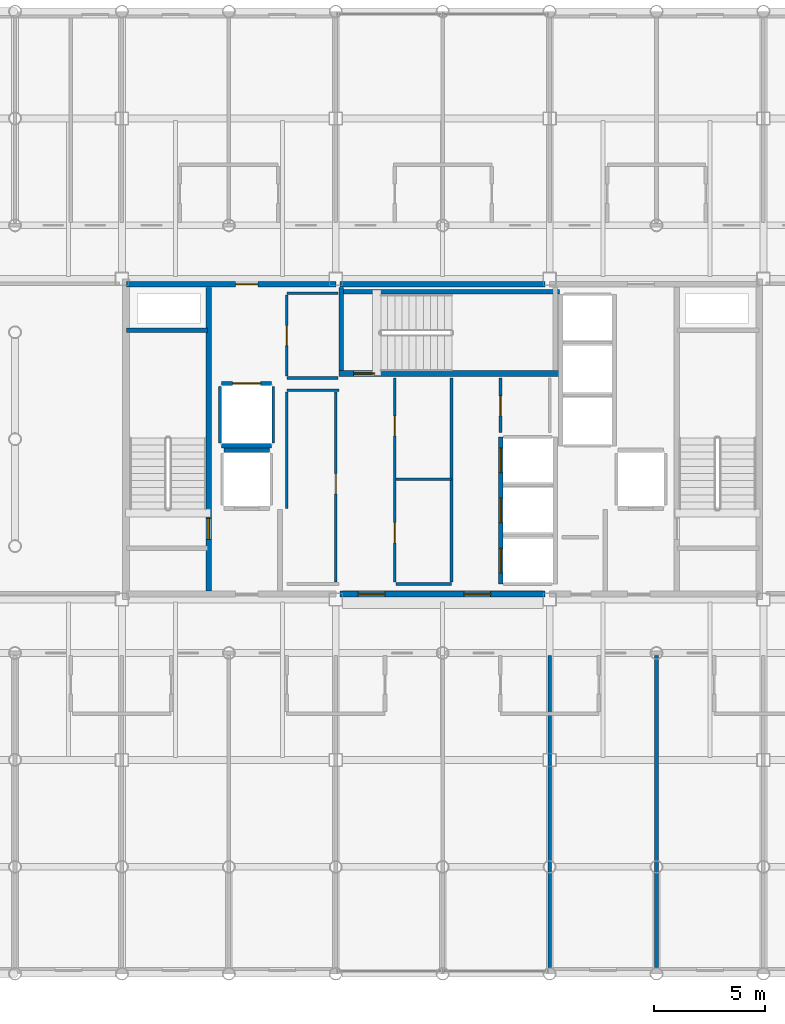
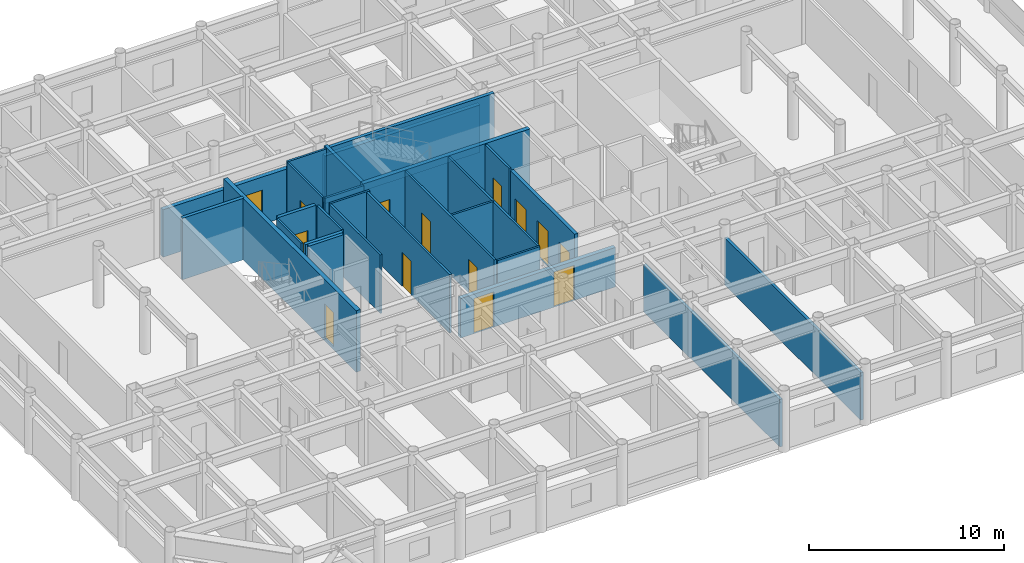
# One storey, part 18 of 22: 27 walls, 14 doors, 14 openings.
"""IFC4 building model written with IfcOpenShell, lengths in metres."""

from ifc_helpers import new_model, si_unit, direction, frame, frame_2d, origin, place, context, subcontext, project, spatial, rectangle, extrude, material, layer, layer_set, type_object, element, fill, save


model = new_model("IFC4")

# Units and contexts
model_context = context("Model", 3, precision=1e-05, world=origin(), true_north=direction((0.0, 1.0)))
body_context = subcontext(model_context, "Body", "Model", "MODEL_VIEW")
ifc_project = project(units=[si_unit("LENGTHUNIT", "METRE"), si_unit("AREAUNIT", "SQUARE_METRE"), si_unit("VOLUMEUNIT", "CUBIC_METRE"), si_unit("PLANEANGLEUNIT", "RADIAN"), si_unit("MASSUNIT", "GRAM", prefix="KILO")], contexts=[model_context])

# Site, building, storey
site_placement = place(None, origin())
site = spatial("IfcSite", under=ifc_project, at=site_placement, CompositionType="ELEMENT")
building_placement = place(site_placement, origin())
building = spatial("IfcBuilding", under=site, at=building_placement, Name="Kallvorn Hotel Tower", CompositionType="ELEMENT")
storey_placement = place(building_placement, frame((0.0, 0.0, 199.199951171875)))
storey = spatial("IfcBuildingStorey", under=building, at=storey_placement, Name="L49", CompositionType="ELEMENT", Elevation=199.199951171875)

# Walls
ifc_material_1 = material(Name="Fire-rated double-layer acoustic gypsum drywall EI 60")
ifc_layer_1 = layer(ifc_material_1, 0.159912109375)
ifc_layer_set_1 = layer_set([ifc_layer_1], Name="WL_DEMISE_160")
wall_type_1 = type_object("IfcWallType", Name="WL_DEMISE_160", PredefinedType="PARTITIONING", material=ifc_layer_set_1)
for number, where, z_axis, x_axis, name in (
    (1, (4.800048828125, -23.7099609375, 0.0), (0.0, 0.0, 1.0), (0.0, 1.0, 0.0), "L49 Suite 4905 Superior Twin Room Partition"),
    (2, (9.60009765625, -23.7099609375, 0.0), (0.0, 0.0, 1.0), (0.0, 1.0, 0.0), "L49 Suite 4906 Superior Twin Room Partition"),
):
    element("IfcWall", number, at=place(storey_placement, frame(where, z_axis=z_axis, x_axis=x_axis)), inside=storey, type_object=wall_type_1, Name=name, PredefinedType="PARTITIONING", context=body_context, shape_type="SweptSolid", body=[
        extrude(rectangle(XDim=13.989990234375, YDim=0.159912109375, at=frame_2d((6.9951171875, 0.0))), origin(), (0.0, 0.0, 1.0), 2.969970703125),
    ])
ifc_material_2 = material(Name="Concrete C40/50", Category="concrete")
ifc_layer_2 = layer(ifc_material_2, 0.199951171875)
ifc_layer_set_2 = layer_set([ifc_layer_2], Name="WL_HOIST_200")
wall_type_2 = type_object("IfcWallType", Name="WL_HOIST_200", PredefinedType="SOLIDWALL", material=ifc_layer_set_2)
wall_1_placement = place(storey_placement, frame((-14.199951171875, 4.89990234375, -0.179931640625), z_axis=(0.0, 0.0, 1.0), x_axis=(1.0, 0.0, 0.0)))
element("IfcWall", 3, at=wall_1_placement, inside=storey, type_object=wall_type_2, Name="L49 Stair ST1 North Wall", PredefinedType="SOLIDWALL", context=body_context, shape_type="SweptSolid", body=[
    extrude(rectangle(XDim=3.64990234375, YDim=0.199951171875, at=frame_2d((1.824951171875, 0.0))), origin(), (0.0, 0.0, 1.0), 3.85009765625),
])
wall_2_placement = place(storey_placement, frame((-4.64990234375, 6.610107421875, -0.179931640625), z_axis=(0.0, 0.0, 1.0), x_axis=(1.0, 0.0, 0.0)))
element("IfcWall", 4, at=wall_2_placement, inside=storey, type_object=wall_type_2, Name="L49 Stair ST3 Shaft North Wall", PredefinedType="SOLIDWALL", context=body_context, shape_type="SweptSolid", body=[
    extrude(rectangle(XDim=9.89990234375, YDim=0.199951171875, at=frame_2d((4.949951171875, 0.0))), origin(), (0.0, 0.0, 1.0), 3.85009765625),
])
wall_3_placement = place(storey_placement, frame((-4.550048828125, 3.080078125, -0.179931640625), z_axis=(0.0, 0.0, 1.0), x_axis=(0.0, 1.0, 0.0)))
element("IfcWall", 5, at=wall_3_placement, inside=storey, type_object=wall_type_2, Name="L49 Stair ST3 West Wall", PredefinedType="SOLIDWALL", context=body_context, shape_type="SweptSolid", body=[
    extrude(rectangle(XDim=3.739990234375, YDim=0.199951171875, at=frame_2d((1.8701171875, 0.0))), origin(), (0.0, 0.0, 1.0), 3.85009765625),
])

# Wall, openings, doors
wall_4_placement = place(storey_placement, frame((2.60009765625, -6.5, 0.0), z_axis=(0.0, 0.0, 1.0), x_axis=(0.0, 1.0, 0.0)))
wall_4 = element("IfcWall", 6, at=wall_4_placement, inside=storey, type_object=wall_type_2, Name="L49 Lift Bank B3A Landing Wall", PredefinedType="SOLIDWALL", context=body_context, shape_type="SweptSolid", body=[
    extrude(rectangle(XDim=6.60009765625, YDim=0.199951171875, at=frame_2d((3.300048828125, 0.0))), origin(), (0.0, 0.0, 1.0), 3.670166015625),
])
opening_1_placement = place(wall_4_placement, frame((0.5, 0.0, 0.0)))
opening_1 = element("IfcOpeningElement", 7, at=opening_1_placement, cuts=wall_4, Name="Opening LD-PL-09", PredefinedType="OPENING", context=body_context, shape_type="SweptSolid", body=[
    extrude(rectangle(XDim=1.10009765625, YDim=2.199951171875, at=frame_2d((0.550048828125, 1.10009765625))), frame((0.0, 0.114990234375, 0.0), z_axis=(0.0, -1.0, 0.0), x_axis=(1.0, 0.0, 0.0)), (0.0, 0.0, 1.0), 0.22998046875),
])
opening_2_placement = place(wall_4_placement, frame((2.75, 0.0, 0.0)))
opening_2 = element("IfcOpeningElement", 8, at=opening_2_placement, cuts=wall_4, Name="Opening LD-PL-10", PredefinedType="OPENING", context=body_context, shape_type="SweptSolid", body=[
    extrude(rectangle(XDim=1.10009765625, YDim=2.199951171875, at=frame_2d((0.550048828125, 1.10009765625))), frame((0.0, 0.114990234375, 0.0), z_axis=(0.0, -1.0, 0.0), x_axis=(1.0, 0.0, 0.0)), (0.0, 0.0, 1.0), 0.22998046875),
])
opening_3_placement = place(wall_4_placement, frame((5.0, 0.0, 0.0)))
opening_3 = element("IfcOpeningElement", 9, at=opening_3_placement, cuts=wall_4, Name="Opening LD-PL-11", PredefinedType="OPENING", context=body_context, shape_type="SweptSolid", body=[
    extrude(rectangle(XDim=1.10009765625, YDim=2.199951171875, at=frame_2d((0.550048828125, 1.10009765625))), frame((0.0, 0.114990234375, 0.0), z_axis=(0.0, -1.0, 0.0), x_axis=(1.0, 0.0, 0.0)), (0.0, 0.0, 1.0), 0.22998046875),
])
ifc_material_3 = material(Name="Brushed stainless-steel automatic sliding lift landing door", Category="steel")
door_type_1 = type_object("IfcDoorType", Name="LD_PASS_1100x2200", OperationType="SLIDING_TO_LEFT", PredefinedType="DOOR", material=ifc_material_3)
door_1_placement = place(opening_1_placement, origin())
door_1 = element("IfcDoor", 10, at=door_1_placement, inside=storey, type_object=door_type_1, Name="L49 Lift Landing Sliding Door LD-PL-09", OperationType="SLIDING_TO_LEFT", OverallHeight=2.199951171875, OverallWidth=1.10009765625, PredefinedType="DOOR", context=body_context, shape_type="SweptSolid", body=[
    extrude(rectangle(XDim=1.10009765625, YDim=2.199951171875, at=frame_2d((0.550048828125, 1.10009765625))), frame((0.0, 0.02490234375, 0.0), z_axis=(0.0, -1.0, 0.0), x_axis=(1.0, 0.0, 0.0)), (0.0, 0.0, 1.0), 0.050048828125),
])
fill(opening_1, door_1)
door_2_placement = place(opening_2_placement, origin())
door_2 = element("IfcDoor", 11, at=door_2_placement, inside=storey, type_object=door_type_1, Name="L49 Lift Landing Sliding Door LD-PL-10", OperationType="SLIDING_TO_LEFT", OverallHeight=2.199951171875, OverallWidth=1.10009765625, PredefinedType="DOOR", context=body_context, shape_type="SweptSolid", body=[
    extrude(rectangle(XDim=1.10009765625, YDim=2.199951171875, at=frame_2d((0.550048828125, 1.10009765625))), frame((0.0, 0.02490234375, 0.0), z_axis=(0.0, -1.0, 0.0), x_axis=(1.0, 0.0, 0.0)), (0.0, 0.0, 1.0), 0.050048828125),
])
fill(opening_2, door_2)
door_3_placement = place(opening_3_placement, origin())
door_3 = element("IfcDoor", 12, at=door_3_placement, inside=storey, type_object=door_type_1, Name="L49 Lift Landing Sliding Door LD-PL-11", OperationType="SLIDING_TO_LEFT", OverallHeight=2.199951171875, OverallWidth=1.10009765625, PredefinedType="DOOR", context=body_context, shape_type="SweptSolid", body=[
    extrude(rectangle(XDim=1.10009765625, YDim=2.199951171875, at=frame_2d((0.550048828125, 1.10009765625))), frame((0.0, 0.02490234375, 0.0), z_axis=(0.0, -1.0, 0.0), x_axis=(1.0, 0.0, 0.0)), (0.0, 0.0, 1.0), 0.050048828125),
])
fill(opening_3, door_3)

# Wall
wall_5_placement = place(storey_placement, frame((-9.820068359375, -0.5, 0.0), z_axis=(0.0, 0.0, 1.0), x_axis=(1.0, 0.0, 0.0)))
element("IfcWall", 13, at=wall_5_placement, inside=storey, type_object=wall_type_2, Name="L49 FL-1 Rear Shaft Wall", PredefinedType="SOLIDWALL", context=body_context, shape_type="SweptSolid", body=[
    extrude(rectangle(XDim=2.0400390625, YDim=0.199951171875, at=frame_2d((1.02001953125, 0.0))), origin(), (0.0, 0.0, 1.0), 3.670166015625),
])

# Wall, opening, door
wall_6_placement = place(storey_placement, frame((-9.919921875, 2.5, 0.0), z_axis=(0.0, 0.0, 1.0), x_axis=(1.0, 0.0, 0.0)))
wall_6 = element("IfcWall", 14, at=wall_6_placement, inside=storey, type_object=wall_type_2, Name="L49 SV-01 Landing Wall", PredefinedType="SOLIDWALL", context=body_context, shape_type="SweptSolid", body=[
    extrude(rectangle(XDim=2.239990234375, YDim=0.199951171875, at=frame_2d((1.1201171875, 0.0))), origin(), (0.0, 0.0, 1.0), 3.670166015625),
])
opening_4_placement = place(wall_6_placement, frame((0.4951171875, 0.0, 0.0)))
opening_4 = element("IfcOpeningElement", 15, at=opening_4_placement, cuts=wall_6, Name="Opening LD-SV-01", PredefinedType="OPENING", context=body_context, shape_type="SweptSolid", body=[
    extrude(rectangle(XDim=1.25, YDim=2.25, at=frame_2d((0.625, 1.125))), frame((0.0, 0.114990234375, 0.0), z_axis=(0.0, -1.0, 0.0), x_axis=(1.0, 0.0, 0.0)), (0.0, 0.0, 1.0), 0.22998046875),
])
ifc_material_4 = material(Name="Brushed stainless-steel automatic sliding lift landing door", Category="steel")
door_type_2 = type_object("IfcDoorType", Name="LD_SERV_1250x2250", OperationType="SLIDING_TO_LEFT", PredefinedType="DOOR", material=ifc_material_4)
door_4_placement = place(opening_4_placement, origin())
door_4 = element("IfcDoor", 16, at=door_4_placement, inside=storey, type_object=door_type_2, Name="L49 Lift Landing Sliding Door LD-SV-01", OperationType="SLIDING_TO_LEFT", OverallHeight=2.25, OverallWidth=1.25, PredefinedType="DOOR", context=body_context, shape_type="SweptSolid", body=[
    extrude(rectangle(XDim=1.25, YDim=2.25, at=frame_2d((0.625, 1.125))), frame((0.0, 0.02490234375, 0.0), z_axis=(0.0, -1.0, 0.0), x_axis=(1.0, 0.0, 0.0)), (0.0, 0.0, 1.0), 0.050048828125),
])
fill(opening_4, door_4)

# Walls
wall_7_placement = place(storey_placement, frame((-9.919921875, -0.300048828125, 0.0), z_axis=(0.0, 0.0, 1.0), x_axis=(1.0, 0.0, 0.0)))
element("IfcWall", 17, at=wall_7_placement, inside=storey, type_object=wall_type_2, Name="L49 SV-01 Rear Shaft Wall", PredefinedType="SOLIDWALL", context=body_context, shape_type="SweptSolid", body=[
    extrude(rectangle(XDim=2.239990234375, YDim=0.199951171875, at=frame_2d((1.1201171875, 0.0))), origin(), (0.0, 0.0, 1.0), 3.670166015625),
])
ifc_material_5 = material(Name="Fire-rated double-layer acoustic gypsum drywall EI 60")
ifc_layer_3 = layer(ifc_material_5, 0.1201171875)
ifc_layer_set_3 = layer_set([ifc_layer_3], Name="WL_INT_120")
wall_type_3 = type_object("IfcWallType", Name="WL_INT_120", PredefinedType="PARTITIONING", material=ifc_layer_set_3)
for number, where, z_axis, x_axis, name in (
    (18, (-10.0, -0.159912109375, 0.0), (0.0, 0.0, 1.0), (0.0, 1.0, 0.0), "L49 SV-01 West Shaft Wall"),
    (19, (-7.60009765625, -0.159912109375, 0.0), (0.0, 0.0, 1.0), (0.0, 1.0, 0.0), "L49 SV-01 East Shaft Wall"),
):
    element("IfcWall", number, at=place(storey_placement, frame(where, z_axis=z_axis, x_axis=x_axis)), inside=storey, type_object=wall_type_3, Name=name, PredefinedType="PARTITIONING", context=body_context, shape_type="SweptSolid", body=[
        extrude(rectangle(XDim=2.52001953125, YDim=0.1201171875, at=frame_2d((1.260009765625, 0.0))), origin(), (0.0, 0.0, 1.0), 3.670166015625),
    ])
for number, where, z_axis, x_axis, name in (
    (20, (-2.10009765625, -6.5, 0.0), (0.0, 0.0, 1.0), (1.0, 0.0, 0.0), "L49 High-Zone Sommelier and Beverage Pantry Partition"),
    (21, (-2.10009765625, -1.800048828125, 0.0), (0.0, 0.0, 1.0), (1.0, 0.0, 0.0), "L49 High-Zone Housekeeping Reserve Store Partition"),
):
    element("IfcWall", number, at=place(storey_placement, frame(where, z_axis=z_axis, x_axis=x_axis)), inside=storey, type_object=wall_type_3, Name=name, PredefinedType="PARTITIONING", context=body_context, shape_type="SweptSolid", body=[
        extrude(rectangle(XDim=2.5, YDim=0.1201171875, at=frame_2d((1.25, 0.0))), origin(), (0.0, 0.0, 1.0), 3.670166015625),
    ])
wall_8_placement = place(storey_placement, frame((-7.0, 2.199951171875, 0.0), z_axis=(0.0, 0.0, 1.0), x_axis=(1.0, 0.0, 0.0)))
element("IfcWall", 22, at=wall_8_placement, inside=storey, type_object=wall_type_3, Name="L49 Recaptured Butler and Room-Service Pantry Partition", PredefinedType="PARTITIONING", context=body_context, shape_type="SweptSolid", body=[
    extrude(rectangle(XDim=2.35009765625, YDim=0.1201171875, at=frame_2d((1.175048828125, 0.0))), origin(), (0.0, 0.0, 1.0), 3.670166015625),
])
for number, where, z_axis, x_axis, name in (
    (23, (-7.0, 2.75, 0.0), (0.0, 0.0, 1.0), (1.0, 0.0, 0.0), "L49 Recaptured Valet and Linen Reserve Store Partition"),
    (24, (-7.0, 6.550048828125, 0.0), (0.0, 0.0, 1.0), (1.0, 0.0, 0.0), "L49 Recaptured Valet and Linen Reserve Store Partition"),
):
    element("IfcWall", number, at=place(storey_placement, frame(where, z_axis=z_axis, x_axis=x_axis)), inside=storey, type_object=wall_type_3, Name=name, PredefinedType="PARTITIONING", context=body_context, shape_type="SweptSolid", body=[
        extrude(rectangle(XDim=2.31005859375, YDim=0.1201171875, at=frame_2d((1.155029296875, 0.0))), origin(), (0.0, 0.0, 1.0), 3.670166015625),
    ])
wall_9_placement = place(storey_placement, frame((-7.0048828125, -3.110107421875, 0.0), z_axis=(0.0, 0.0, 1.0), x_axis=(0.0, 1.0, 0.0)))
element("IfcWall", 25, at=wall_9_placement, inside=storey, type_object=wall_type_3, Name="L49 Recaptured Butler and Room-Service Pantry Partition", PredefinedType="PARTITIONING", context=body_context, shape_type="SweptSolid", body=[
    extrude(rectangle(XDim=5.22509765625, YDim=0.1201171875, at=frame_2d((2.612548828125, 0.0))), origin(), (0.0, 0.0, 1.0), 3.670166015625),
])

# Wall, opening, door
wall_10_placement = place(storey_placement, frame((-7.0048828125, 2.8349609375, 0.0), z_axis=(0.0, 0.0, 1.0), x_axis=(0.0, 1.0, 0.0)))
wall_10 = element("IfcWall", 26, at=wall_10_placement, inside=storey, type_object=wall_type_3, Name="L49 Recaptured Valet and Linen Reserve Store Partition", PredefinedType="PARTITIONING", context=body_context, shape_type="SweptSolid", body=[
    extrude(rectangle(XDim=3.630126953125, YDim=0.1201171875, at=frame_2d((1.81494140625, 0.0))), origin(), (0.0, 0.0, 1.0), 3.670166015625),
])
opening_5_placement = place(wall_10_placement, frame((1.364990234375, 0.0, 0.0)))
opening_5 = element("IfcOpeningElement", 27, at=opening_5_placement, cuts=wall_10, Name="Opening SVD1", PredefinedType="OPENING", context=body_context, shape_type="SweptSolid", body=[
    extrude(rectangle(XDim=0.89990234375, YDim=2.10009765625, at=frame_2d((0.449951171875, 1.050048828125))), frame((0.0, 0.074951171875, 0.0), z_axis=(0.0, -1.0, 0.0), x_axis=(1.0, 0.0, 0.0)), (0.0, 0.0, 1.0), 0.150146484375),
])
ifc_material_6 = material(Name="Galvanised painted steel fire-rated door assembly", Category="steel")
door_type_3 = type_object("IfcDoorType", Name="DR_SERV_900x2100", OperationType="NOTDEFINED", PredefinedType="DOOR", material=ifc_material_6)
door_5_placement = place(opening_5_placement, origin())
door_5 = element("IfcDoor", 28, at=door_5_placement, inside=storey, type_object=door_type_3, Name="L49 Recaptured Valet and Linen Reserve Store Door", OperationType="SINGLE_SWING_LEFT", OverallHeight=2.10009765625, OverallWidth=0.89990234375, PredefinedType="DOOR", context=body_context, shape_type="SweptSolid", body=[
    extrude(rectangle(XDim=0.89990234375, YDim=2.10009765625, at=frame_2d((0.449951171875, 1.050048828125))), frame((0.0, 0.02490234375, 0.0), z_axis=(0.0, -1.0, 0.0), x_axis=(1.0, 0.0, 0.0)), (0.0, 0.0, 1.0), 0.050048828125),
])
fill(opening_5, door_5)

wall_11_placement = place(storey_placement, frame((-4.800048828125, -6.4150390625, 0.0), z_axis=(0.0, 0.0, 1.0), x_axis=(0.0, 1.0, 0.0)))
wall_11 = element("IfcWall", 29, at=wall_11_placement, inside=storey, type_object=wall_type_3, Name="L49 Recaptured Butler and Room-Service Pantry Partition", PredefinedType="PARTITIONING", context=body_context, shape_type="SweptSolid", body=[
    extrude(rectangle(XDim=8.530029296875, YDim=0.1201171875, at=frame_2d((4.26513671875, 0.0))), origin(), (0.0, 0.0, 1.0), 3.670166015625),
])
opening_6_placement = place(wall_11_placement, frame((3.965087890625, 0.0, 0.0)))
opening_6 = element("IfcOpeningElement", 30, at=opening_6_placement, cuts=wall_11, Name="Opening SVD1", PredefinedType="OPENING", context=body_context, shape_type="SweptSolid", body=[
    extrude(rectangle(XDim=0.89990234375, YDim=2.10009765625, at=frame_2d((0.449951171875, 1.050048828125))), frame((0.0, 0.074951171875, 0.0), z_axis=(0.0, -1.0, 0.0), x_axis=(1.0, 0.0, 0.0)), (0.0, 0.0, 1.0), 0.150146484375),
])
door_6_placement = place(opening_6_placement, origin())
door_6 = element("IfcDoor", 31, at=door_6_placement, inside=storey, type_object=door_type_3, Name="L49 Recaptured Butler and Room-Service Pantry Door", OperationType="SINGLE_SWING_RIGHT", OverallHeight=2.10009765625, OverallWidth=0.89990234375, PredefinedType="DOOR", context=body_context, shape_type="SweptSolid", body=[
    extrude(rectangle(XDim=0.89990234375, YDim=2.10009765625, at=frame_2d((0.449951171875, 1.050048828125))), frame((0.0, 0.02490234375, 0.0), z_axis=(0.0, -1.0, 0.0), x_axis=(1.0, 0.0, 0.0)), (0.0, 0.0, 1.0), 0.050048828125),
])
fill(opening_6, door_6)

# Wall, openings, doors
wall_12_placement = place(storey_placement, frame((-2.155029296875, -6.4150390625, 0.0), z_axis=(0.0, 0.0, 1.0), x_axis=(0.0, 1.0, 0.0)))
wall_12 = element("IfcWall", 32, at=wall_12_placement, inside=storey, type_object=wall_type_3, Name="L49 High-Zone Sommelier and Beverage Pantry Partition", PredefinedType="PARTITIONING", context=body_context, shape_type="SweptSolid", body=[
    extrude(rectangle(XDim=9.1650390625, YDim=0.1201171875, at=frame_2d((4.58251953125, 0.0))), origin(), (0.0, 0.0, 1.0), 3.670166015625),
])
opening_7_placement = place(wall_12_placement, frame((1.764892578125, 0.0, 0.0)))
opening_7 = element("IfcOpeningElement", 33, at=opening_7_placement, cuts=wall_12, Name="Opening SVD1", PredefinedType="OPENING", context=body_context, shape_type="SweptSolid", body=[
    extrude(rectangle(XDim=0.89990234375, YDim=2.10009765625, at=frame_2d((0.449951171875, 1.050048828125))), frame((0.0, 0.074951171875, 0.0), z_axis=(0.0, -1.0, 0.0), x_axis=(1.0, 0.0, 0.0)), (0.0, 0.0, 1.0), 0.150146484375),
])
opening_8_placement = place(wall_12_placement, frame((6.56494140625, 0.0, 0.0)))
opening_8 = element("IfcOpeningElement", 34, at=opening_8_placement, cuts=wall_12, Name="Opening SVD1", PredefinedType="OPENING", context=body_context, shape_type="SweptSolid", body=[
    extrude(rectangle(XDim=0.89990234375, YDim=2.10009765625, at=frame_2d((0.449951171875, 1.050048828125))), frame((0.0, 0.074951171875, 0.0), z_axis=(0.0, -1.0, 0.0), x_axis=(1.0, 0.0, 0.0)), (0.0, 0.0, 1.0), 0.150146484375),
])
door_7_placement = place(opening_7_placement, origin())
door_7 = element("IfcDoor", 35, at=door_7_placement, inside=storey, type_object=door_type_3, Name="L49 High-Zone Sommelier and Beverage Pantry Door", OperationType="SINGLE_SWING_LEFT", OverallHeight=2.10009765625, OverallWidth=0.89990234375, PredefinedType="DOOR", context=body_context, shape_type="SweptSolid", body=[
    extrude(rectangle(XDim=0.89990234375, YDim=2.10009765625, at=frame_2d((0.449951171875, 1.050048828125))), frame((0.0, 0.02490234375, 0.0), z_axis=(0.0, -1.0, 0.0), x_axis=(1.0, 0.0, 0.0)), (0.0, 0.0, 1.0), 0.050048828125),
])
fill(opening_7, door_7)
door_8_placement = place(opening_8_placement, origin())
door_8 = element("IfcDoor", 36, at=door_8_placement, inside=storey, type_object=door_type_3, Name="L49 High-Zone Housekeeping Reserve Store Door", OperationType="SINGLE_SWING_LEFT", OverallHeight=2.10009765625, OverallWidth=0.89990234375, PredefinedType="DOOR", context=body_context, shape_type="SweptSolid", body=[
    extrude(rectangle(XDim=0.89990234375, YDim=2.10009765625, at=frame_2d((0.449951171875, 1.050048828125))), frame((0.0, 0.02490234375, 0.0), z_axis=(0.0, -1.0, 0.0), x_axis=(1.0, 0.0, 0.0)), (0.0, 0.0, 1.0), 0.050048828125),
])
fill(opening_8, door_8)

# Wall
wall_13_placement = place(storey_placement, frame((0.39990234375, -6.4150390625, 0.0), z_axis=(0.0, 0.0, 1.0), x_axis=(0.0, 1.0, 0.0)))
element("IfcWall", 37, at=wall_13_placement, inside=storey, type_object=wall_type_3, Name="L49 High-Zone Sommelier and Beverage Pantry Partition", PredefinedType="PARTITIONING", context=body_context, shape_type="SweptSolid", body=[
    extrude(rectangle(XDim=9.1650390625, YDim=0.1201171875, at=frame_2d((4.58251953125, 0.0))), origin(), (0.0, 0.0, 1.0), 3.670166015625),
])

# Wall, opening, door
wall_14_placement = place(storey_placement, frame((2.59326171875, 0.300048828125, 0.0), z_axis=(0.0, 0.0, 1.0), x_axis=(0.0, 1.0, 0.0)))
wall_14 = element("IfcWall", 38, at=wall_14_placement, inside=storey, type_object=wall_type_3, Name="L49 East Core Janitor Room Partition", PredefinedType="PARTITIONING", context=body_context, shape_type="SweptSolid", body=[
    extrude(rectangle(XDim=2.449951171875, YDim=0.1201171875, at=frame_2d((1.22509765625, 0.0))), origin(), (0.0, 0.0, 1.0), 3.670166015625),
])
opening_9_placement = place(wall_14_placement, frame((0.75, 0.0, 0.0)))
opening_9 = element("IfcOpeningElement", 39, at=opening_9_placement, cuts=wall_14, Name="Opening SVD1", PredefinedType="OPENING", context=body_context, shape_type="SweptSolid", body=[
    extrude(rectangle(XDim=0.89990234375, YDim=2.10009765625, at=frame_2d((0.449951171875, 1.050048828125))), frame((0.0, 0.074951171875, 0.0), z_axis=(0.0, -1.0, 0.0), x_axis=(1.0, 0.0, 0.0)), (0.0, 0.0, 1.0), 0.150146484375),
])
door_9_placement = place(opening_9_placement, origin())
door_9 = element("IfcDoor", 40, at=door_9_placement, inside=storey, type_object=door_type_3, Name="L49 East Core Janitor Room Door", OperationType="SINGLE_SWING_LEFT", OverallHeight=2.10009765625, OverallWidth=0.89990234375, PredefinedType="DOOR", context=body_context, shape_type="SweptSolid", body=[
    extrude(rectangle(XDim=0.89990234375, YDim=2.10009765625, at=frame_2d((0.449951171875, 1.050048828125))), frame((0.0, 0.02490234375, 0.0), z_axis=(0.0, -1.0, 0.0), x_axis=(1.0, 0.0, 0.0)), (0.0, 0.0, 1.0), 0.050048828125),
])
fill(opening_9, door_9)

# Wall, openings, doors
ifc_material_7 = material(Name="Concrete C40/50", Category="concrete")
ifc_layer_4 = layer(ifc_material_7, 0.25)
ifc_layer_set_4 = layer_set([ifc_layer_4], Name="WL_SHAFT_250")
wall_type_4 = type_object("IfcWallType", Name="WL_SHAFT_250", PredefinedType="SOLIDWALL", material=ifc_layer_set_4)
wall_15_placement = place(storey_placement, frame((-4.60009765625, -6.949951171875, 0.0), z_axis=(0.0, 0.0, 1.0), x_axis=(1.0, 0.0, 0.0)))
wall_15 = element("IfcWall", 41, at=wall_15_placement, inside=storey, type_object=wall_type_4, Name="L49 Core South-Central Wall", PredefinedType="SOLIDWALL", context=body_context, shape_type="SweptSolid", body=[
    extrude(rectangle(XDim=9.2001953125, YDim=0.25, at=frame_2d((4.60009765625, 0.0))), origin(), (0.0, 0.0, 1.0), 2.469970703125),
])
opening_10_placement = place(wall_15_placement, frame((0.800048828125, 0.0, 0.0)))
opening_10 = element("IfcOpeningElement", 42, at=opening_10_placement, cuts=wall_15, Name="Opening FD2", PredefinedType="OPENING", context=body_context, shape_type="SweptSolid", body=[
    extrude(rectangle(XDim=1.199951171875, YDim=2.199951171875, at=frame_2d((0.60009765625, 1.10009765625))), frame((0.0, 0.139892578125, 0.0), z_axis=(0.0, -1.0, 0.0), x_axis=(1.0, 0.0, 0.0)), (0.0, 0.0, 1.0), 0.280029296875),
])
opening_11_placement = place(wall_15_placement, frame((5.550048828125, 0.0, 0.0)))
opening_11 = element("IfcOpeningElement", 43, at=opening_11_placement, cuts=wall_15, Name="Opening FD2", PredefinedType="OPENING", context=body_context, shape_type="SweptSolid", body=[
    extrude(rectangle(XDim=1.199951171875, YDim=2.199951171875, at=frame_2d((0.60009765625, 1.10009765625))), frame((0.0, 0.139892578125, 0.0), z_axis=(0.0, -1.0, 0.0), x_axis=(1.0, 0.0, 0.0)), (0.0, 0.0, 1.0), 0.280029296875),
])
ifc_material_8 = material(Name="Galvanised painted steel fire-rated door assembly", Category="steel")
door_type_4 = type_object("IfcDoorType", Name="DR_LOBBY_1200x2200", OperationType="DOUBLE_DOOR_SINGLE_SWING", PredefinedType="DOOR", material=ifc_material_8)
door_10_placement = place(opening_10_placement, origin())
door_10 = element("IfcDoor", 44, at=door_10_placement, inside=storey, type_object=door_type_4, Name="L49 West Passenger Lift Lobby Door", OperationType="DOUBLE_DOOR_SINGLE_SWING", OverallHeight=2.199951171875, OverallWidth=1.199951171875, PredefinedType="DOOR", context=body_context, shape_type="SweptSolid", body=[
    extrude(rectangle(XDim=1.199951171875, YDim=2.199951171875, at=frame_2d((0.60009765625, 1.10009765625))), frame((0.0, 0.02490234375, 0.0), z_axis=(0.0, -1.0, 0.0), x_axis=(1.0, 0.0, 0.0)), (0.0, 0.0, 1.0), 0.050048828125),
])
fill(opening_10, door_10)
door_11_placement = place(opening_11_placement, origin())
door_11 = element("IfcDoor", 45, at=door_11_placement, inside=storey, type_object=door_type_4, Name="L49 East Passenger Lift Lobby Door", OperationType="DOUBLE_DOOR_SINGLE_SWING", OverallHeight=2.199951171875, OverallWidth=1.199951171875, PredefinedType="DOOR", context=body_context, shape_type="SweptSolid", body=[
    extrude(rectangle(XDim=1.199951171875, YDim=2.199951171875, at=frame_2d((0.60009765625, 1.10009765625))), frame((0.0, 0.02490234375, 0.0), z_axis=(0.0, -1.0, 0.0), x_axis=(1.0, 0.0, 0.0)), (0.0, 0.0, 1.0), 0.050048828125),
])
fill(opening_11, door_11)

# Wall, opening, door
wall_16_placement = place(storey_placement, frame((-14.199951171875, 6.949951171875, 0.0), z_axis=(0.0, 0.0, 1.0), x_axis=(1.0, 0.0, 0.0)))
wall_16 = element("IfcWall", 46, at=wall_16_placement, inside=storey, type_object=wall_type_4, Name="L49 Core North-West Wall", PredefinedType="SOLIDWALL", context=body_context, shape_type="SweptSolid", body=[
    extrude(rectangle(XDim=9.39990234375, YDim=0.25, at=frame_2d((4.699951171875, 0.0))), origin(), (0.0, 0.0, 1.0), 2.969970703125),
])
opening_12_placement = place(wall_16_placement, frame((4.89990234375, 0.0, 0.0)))
opening_12 = element("IfcOpeningElement", 47, at=opening_12_placement, cuts=wall_16, Name="Opening FD1", PredefinedType="OPENING", context=body_context, shape_type="SweptSolid", body=[
    extrude(rectangle(XDim=1.0, YDim=2.14990234375, at=frame_2d((0.5, 1.074951171875))), frame((0.0, 0.139892578125, 0.0), z_axis=(0.0, -1.0, 0.0), x_axis=(1.0, 0.0, 0.0)), (0.0, 0.0, 1.0), 0.280029296875),
])
ifc_material_9 = material(Name="Galvanised painted steel fire-rated door assembly", Category="steel")
door_type_5 = type_object("IfcDoorType", Name="DR_FFL_1000x2150", OperationType="NOTDEFINED", PredefinedType="DOOR", material=ifc_material_9)
door_12_placement = place(opening_12_placement, origin())
door_12 = element("IfcDoor", 48, at=door_12_placement, inside=storey, type_object=door_type_5, Name="L49 Service Lift Lobby Door", OperationType="SINGLE_SWING_LEFT", OverallHeight=2.14990234375, OverallWidth=1.0, PredefinedType="DOOR", context=body_context, shape_type="SweptSolid", body=[
    extrude(rectangle(XDim=1.0, YDim=2.14990234375, at=frame_2d((0.5, 1.074951171875))), frame((0.0, 0.02490234375, 0.0), z_axis=(0.0, -1.0, 0.0), x_axis=(1.0, 0.0, 0.0)), (0.0, 0.0, 1.0), 0.050048828125),
])
fill(opening_12, door_12)

# Wall
wall_17_placement = place(storey_placement, frame((-4.60009765625, 6.949951171875, 0.0), z_axis=(0.0, 0.0, 1.0), x_axis=(1.0, 0.0, 0.0)))
element("IfcWall", 49, at=wall_17_placement, inside=storey, type_object=wall_type_4, Name="L49 Core North-Central Wall", PredefinedType="SOLIDWALL", context=body_context, shape_type="SweptSolid", body=[
    extrude(rectangle(XDim=9.2001953125, YDim=0.25, at=frame_2d((4.60009765625, 0.0))), origin(), (0.0, 0.0, 1.0), 2.969970703125),
])

# Wall, opening, door
wall_18_placement = place(storey_placement, frame((-10.5, -6.820068359375, -0.179931640625), z_axis=(0.0, 0.0, 1.0), x_axis=(0.0, 1.0, 0.0)))
wall_18 = element("IfcWall", 50, at=wall_18_placement, inside=storey, type_object=wall_type_4, Name="L49 Stair ST1 Shaft Wall", PredefinedType="SOLIDWALL", context=body_context, shape_type="SweptSolid", body=[
    extrude(rectangle(XDim=13.64013671875, YDim=0.25, at=frame_2d((6.820068359375, 0.0))), origin(), (0.0, 0.0, 1.0), 3.85009765625),
])
opening_13_placement = place(wall_18_placement, frame((2.320068359375, 0.0, 0.179931640625)))
opening_13 = element("IfcOpeningElement", 51, at=opening_13_placement, cuts=wall_18, Name="Opening SD1", PredefinedType="OPENING", context=body_context, shape_type="SweptSolid", body=[
    extrude(rectangle(XDim=0.949951171875, YDim=2.14990234375, at=frame_2d((0.47509765625, 1.074951171875))), frame((0.0, 0.139892578125, 0.0), z_axis=(0.0, -1.0, 0.0), x_axis=(1.0, 0.0, 0.0)), (0.0, 0.0, 1.0), 0.280029296875),
])
ifc_material_10 = material(Name="Galvanised painted steel fire-rated door assembly", Category="steel")
door_type_6 = type_object("IfcDoorType", Name="DR_STAIR_950x2150", OperationType="NOTDEFINED", PredefinedType="DOOR", material=ifc_material_10)
door_13_placement = place(opening_13_placement, origin())
door_13 = element("IfcDoor", 52, at=door_13_placement, inside=storey, type_object=door_type_6, Name="L49 Exit Stair ST1 Fire Door", OperationType="SINGLE_SWING_LEFT", OverallHeight=2.14990234375, OverallWidth=0.949951171875, PredefinedType="DOOR", context=body_context, shape_type="SweptSolid", body=[
    extrude(rectangle(XDim=0.949951171875, YDim=2.14990234375, at=frame_2d((0.47509765625, 1.074951171875))), frame((0.0, 0.02490234375, 0.0), z_axis=(0.0, -1.0, 0.0), x_axis=(1.0, 0.0, 0.0)), (0.0, 0.0, 1.0), 0.050048828125),
])
fill(opening_13, door_13)

wall_19_placement = place(storey_placement, frame((-4.64990234375, 2.949951171875, -0.179931640625), z_axis=(0.0, 0.0, 1.0), x_axis=(1.0, 0.0, 0.0)))
wall_19 = element("IfcWall", 53, at=wall_19_placement, inside=storey, type_object=wall_type_4, Name="L49 Stair ST3 Shaft South Wall", PredefinedType="SOLIDWALL", context=body_context, shape_type="SweptSolid", body=[
    extrude(rectangle(XDim=9.89990234375, YDim=0.25, at=frame_2d((4.949951171875, 0.0))), origin(), (0.0, 0.0, 1.0), 3.85009765625),
])
opening_14_placement = place(wall_19_placement, frame((0.64990234375, 0.0, 0.179931640625)))
opening_14 = element("IfcOpeningElement", 54, at=opening_14_placement, cuts=wall_19, Name="Opening SD1", PredefinedType="OPENING", context=body_context, shape_type="SweptSolid", body=[
    extrude(rectangle(XDim=0.949951171875, YDim=2.14990234375, at=frame_2d((0.47509765625, 1.074951171875))), frame((0.0, 0.139892578125, 0.0), z_axis=(0.0, -1.0, 0.0), x_axis=(1.0, 0.0, 0.0)), (0.0, 0.0, 1.0), 0.280029296875),
])
door_14_placement = place(opening_14_placement, origin())
door_14 = element("IfcDoor", 55, at=door_14_placement, inside=storey, type_object=door_type_6, Name="L49 Exit Stair ST3 Fire Door", OperationType="SINGLE_SWING_LEFT", OverallHeight=2.14990234375, OverallWidth=0.949951171875, PredefinedType="DOOR", context=body_context, shape_type="SweptSolid", body=[
    extrude(rectangle(XDim=0.949951171875, YDim=2.14990234375, at=frame_2d((0.47509765625, 1.074951171875))), frame((0.0, 0.02490234375, 0.0), z_axis=(0.0, -1.0, 0.0), x_axis=(1.0, 0.0, 0.0)), (0.0, 0.0, 1.0), 0.050048828125),
])
fill(opening_14, door_14)

save(model, "model.ifc")
